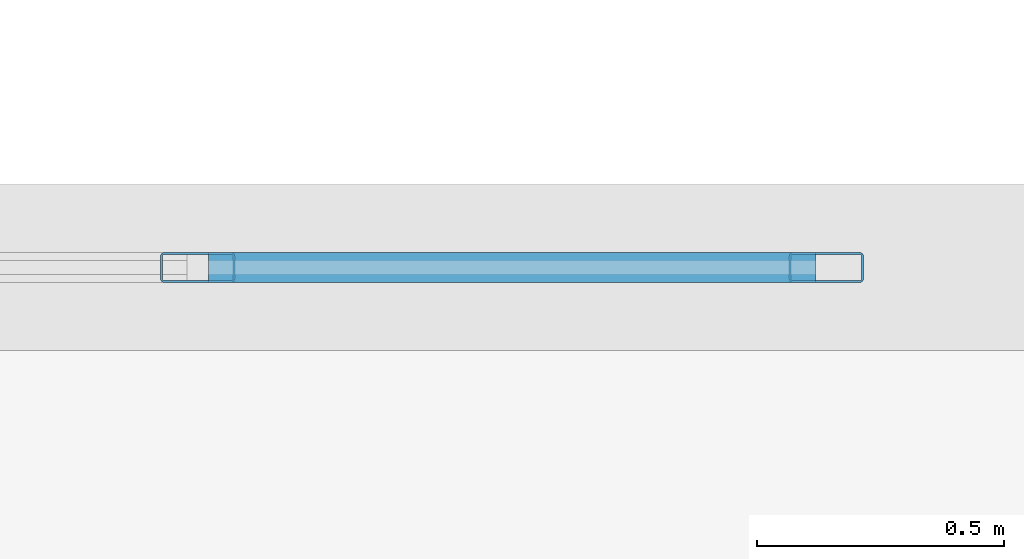
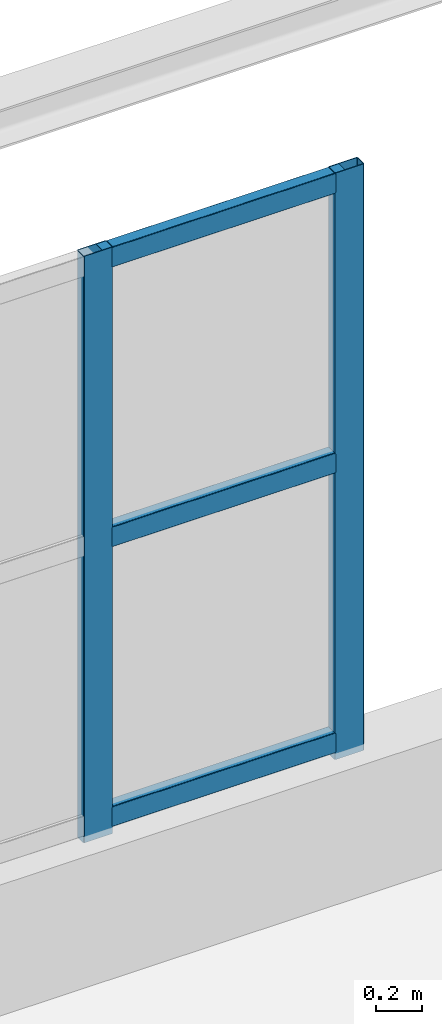
# One storey, part 32 of 97: 5 members, 1 element without a shape of its own.
"""IFC4 building model written with IfcOpenShell, lengths in metres."""

import ifcopenshell
import ifcopenshell.guid

model = None  # the IFC model being written
_history = None  # IfcOwnerHistory: only IFC2X3 demands one
_inside = {}  # id of a spatial element -> (the spatial element, [elements in it])
_under = {}  # id of a project, library or spatial element -> (it, [spatial elements below it])
_declared = {}  # id of a project -> (the project, [libraries it declares])
_typed = {}  # id of a type object -> (the type object, [elements of that type])
_made_of = {}  # id of a material, layer set ... -> (it, [elements and type objects made of it])


def new_model(schema):
    """Start an empty IFC model of exactly this schema.

    Asked for "IFC4X3", IfcOpenShell would pick the latest addendum, in which some entities
    have other attributes; the version numbers below select the first issue.
    IFC2X3 requires an IfcOwnerHistory on every rooted entity: one is made here for all.
    """
    global model, _history
    if schema == "IFC4X3":
        model = ifcopenshell.file(schema_version=(4, 3, 0, 0))
    else:
        model = ifcopenshell.file(schema=schema)
    _inside.clear()
    _under.clear()
    _declared.clear()
    _typed.clear()
    _made_of.clear()
    _history = None
    if model.schema == "IFC2X3":
        org = make("IfcOrganization", Name="unknown")
        user = make(
            "IfcPersonAndOrganization",
            ThePerson=make("IfcPerson", FamilyName="unknown"),
            TheOrganization=org,
        )
        app = make(
            "IfcApplication",
            ApplicationDeveloper=org,
            Version="unknown",
            ApplicationFullName="unknown",
            ApplicationIdentifier="unknown",
        )
        _history = make(
            "IfcOwnerHistory",
            OwningUser=user,
            OwningApplication=app,
            ChangeAction="ADDED",
            CreationDate=0,
        )
    return model


def make(cls, **values):
    """One entity of the class cls with the attributes given. An attribute that is None is left unset."""
    return model.create_entity(
        cls, **{name: value for name, value in values.items() if value is not None}
    )


def rooted(cls, **values):
    """An entity with a GlobalId (a new one), such as an element, a storey or a relation."""
    return make(cls, GlobalId=ifcopenshell.guid.new(), OwnerHistory=_history, **values)


def si_unit(unit_type, name, prefix=None):
    """IfcSIUnit, for example si_unit("LENGTHUNIT", "METRE", prefix="MILLI")."""
    return make("IfcSIUnit", UnitType=unit_type, Prefix=prefix, Name=name)


def derived_unit(unit_type, elements):
    """IfcDerivedUnit: a product of units, each with its exponent."""
    return make(
        "IfcDerivedUnit",
        Elements=[
            make("IfcDerivedUnitElement", Unit=unit, Exponent=power)
            for unit, power in elements
        ],
        UnitType=unit_type,
    )


def assignment(units):
    """IfcUnitAssignment: the units of a project."""
    return None if units is None else make("IfcUnitAssignment", Units=units)


def point(xyz):
    """IfcCartesianPoint."""
    return None if xyz is None else make("IfcCartesianPoint", Coordinates=xyz)


def direction(xyz):
    """IfcDirection."""
    return None if xyz is None else make("IfcDirection", DirectionRatios=xyz)


def frame(location, z_axis=None, x_axis=None):
    """IfcAxis2Placement3D, a coordinate frame: its origin and axes. An axis left out is left unset."""
    return make(
        "IfcAxis2Placement3D",
        Location=point(location),
        Axis=direction(z_axis),
        RefDirection=direction(x_axis),
    )


def frame_2d(location, x_axis=None):
    """IfcAxis2Placement2D, a coordinate frame in the plane: its origin and x axis."""
    return make(
        "IfcAxis2Placement2D", Location=point(location), RefDirection=direction(x_axis)
    )


def origin():
    """The frame at (0, 0, 0) with its axes left unset."""
    return frame((0.0, 0.0, 0.0))


def origin_2d():
    """The frame at (0, 0) in the plane with its x axis left unset."""
    return frame_2d((0.0, 0.0))


def place(relative_to, where):
    """IfcLocalPlacement: puts the frame where relative to a parent placement (None: the world)."""
    return make(
        "IfcLocalPlacement", PlacementRelTo=relative_to, RelativePlacement=where
    )


def context(
    kind, dimensions, precision=None, world=None, true_north=None, identifier=None
):
    """IfcGeometricRepresentationContext, for example the 3D "Model" context."""
    return make(
        "IfcGeometricRepresentationContext",
        ContextIdentifier=identifier,
        ContextType=kind,
        CoordinateSpaceDimension=dimensions,
        Precision=precision,
        WorldCoordinateSystem=world,
        TrueNorth=true_north,
    )


def subcontext(parent, identifier, kind, view, scale=None):
    """IfcGeometricRepresentationSubContext, for example "Body" below "Model"."""
    return make(
        "IfcGeometricRepresentationSubContext",
        ContextIdentifier=identifier,
        ContextType=kind,
        ParentContext=parent,
        TargetScale=scale,
        TargetView=view,
    )


def project(units=None, contexts=None):
    """IfcProject with its units and contexts."""
    return rooted(
        "IfcProject",
        Name="project",
        RepresentationContexts=contexts,
        UnitsInContext=assignment(units),
    )


def spatial(cls, under=None, at=None, **own):
    """A site, building, storey or space (cls), placed at a placement, below another one or the project."""
    s = rooted(cls, ObjectPlacement=at, **own)
    if under is not None:
        _under.setdefault(under.id(), (under, []))[1].append(s)
    return s


def profile(cls, at=None, kind="AREA", **sizes):
    """A parametric profile (cls). Its sizes go by their IFC names, for example OverallWidth=200.0."""
    return make(cls, ProfileType=kind, Position=at, **sizes)


def hollow_rectangle(**sizes):
    """IfcRectangleHollowProfileDef."""
    return profile("IfcRectangleHollowProfileDef", **sizes)


def extrude(swept, where, along, depth):
    """IfcExtrudedAreaSolid: the profile swept, set in the frame where, extruded along a direction by depth."""
    return make(
        "IfcExtrudedAreaSolid",
        SweptArea=swept,
        Position=where,
        ExtrudedDirection=direction(along),
        Depth=depth,
    )


def shape(context_of_items, identifier, shape_type, items):
    """IfcShapeRepresentation: the items that make up one representation, for example the "Body"."""
    return make(
        "IfcShapeRepresentation",
        ContextOfItems=context_of_items,
        RepresentationIdentifier=identifier,
        RepresentationType=shape_type,
        Items=items,
    )


def material(Name=None, Category=None):
    """IfcMaterial."""
    return make("IfcMaterial", Name=Name, Category=Category)


def layer(
    of_material, thickness, ventilated=None, Name=None, Category=None, Priority=None
):
    """IfcMaterialLayer: one layer of a wall or slab, of a material (None: an air gap)."""
    return make(
        "IfcMaterialLayer",
        Material=of_material,
        LayerThickness=thickness,
        IsVentilated=ventilated,
        Name=Name,
        Category=Category,
        Priority=Priority,
    )


def layer_set(layers, Name=None):
    """IfcMaterialLayerSet."""
    return make("IfcMaterialLayerSet", MaterialLayers=layers, LayerSetName=Name)


def material_profile(
    of_material, cross_section, Name=None, Category=None, Priority=None
):
    """IfcMaterialProfile: a cross section and its material."""
    return make(
        "IfcMaterialProfile",
        Name=Name,
        Material=of_material,
        Profile=cross_section,
        Priority=Priority,
        Category=Category,
    )


def profile_set(profiles, Name=None, composite=None):
    """IfcMaterialProfileSet."""
    return make(
        "IfcMaterialProfileSet",
        Name=Name,
        MaterialProfiles=profiles,
        CompositeProfile=composite,
    )


def made_of(thing, what):
    """Note that an element or type object is made of a material, layer set ...; save() writes the relation."""
    if what is not None:
        _made_of.setdefault(what.id(), (what, []))[1].append(thing)
    return thing


def type_object(cls, material=None, **own):
    """A type object (cls), such as IfcWallType, which elements share."""
    return made_of(rooted(cls, **own), material)


def element(
    cls,
    number,
    at=None,
    inside=None,
    cuts=None,
    type_object=None,
    material=None,
    context=None,
    identifier="Body",
    shape_type=None,
    held_by="IfcProductDefinitionShape",
    body=None,
    shapes=None,
    **own,
):
    """One element of the class cls, such as IfcWall. Its Tag is "e" and its number.

    at: its placement. inside: the storey or other place that contains it. cuts: it is an
    opening in that element (IfcRelVoidsElement). A single representation is given by context,
    identifier, shape_type and body (its items); several are given by shapes. held_by: the class
    of the entity that holds the representations. save() writes the other relations.
    """
    e = rooted(cls, Tag="e%d" % number, ObjectPlacement=at, **own)
    if body is not None:
        shapes = [shape(context, identifier, shape_type, body)]
    if shapes is not None:
        e.Representation = make(held_by, Representations=shapes)
    if inside is not None:
        _inside.setdefault(inside.id(), (inside, []))[1].append(e)
    if cuts is not None:
        rooted(
            "IfcRelVoidsElement", RelatingBuildingElement=cuts, RelatedOpeningElement=e
        )
    if type_object is not None:
        _typed.setdefault(type_object.id(), (type_object, []))[1].append(e)
    return made_of(e, material)


def aggregate(whole, parts):
    """IfcRelAggregates: a whole, such as a stair, and the parts it consists of."""
    return rooted("IfcRelAggregates", RelatingObject=whole, RelatedObjects=parts)


def save(model, path):
    """Write the relations noted so far, then the file.

    IfcRelAggregates (storeys below a building ...), IfcRelContainedInSpatialStructure (elements
    in a storey), IfcRelDefinesByType, IfcRelAssociatesMaterial and IfcRelDeclares: one each for
    every whole, place, type object, material and project.
    """
    for whole, parts in _under.values():
        aggregate(whole, parts)
    for where, things in _inside.values():
        rooted(
            "IfcRelContainedInSpatialStructure",
            RelatedElements=things,
            RelatingStructure=where,
        )
    for kind, things in _typed.values():
        rooted("IfcRelDefinesByType", RelatedObjects=things, RelatingType=kind)
    for what, things in _made_of.values():
        rooted("IfcRelAssociatesMaterial", RelatedObjects=things, RelatingMaterial=what)
    for by, libraries in _declared.values():
        rooted("IfcRelDeclares", RelatingContext=by, RelatedDefinitions=libraries)
    model.write(path)


model = new_model("IFC4")

# Units and contexts
model_context = context("Model", 3, precision=1e-05, world=origin(), true_north=direction((0.0, 1.0)))
body_context = subcontext(model_context, "Body", "Model", "MODEL_VIEW")
ifc_project = project(units=[si_unit("LENGTHUNIT", "METRE"), si_unit("AREAUNIT", "SQUARE_METRE"), si_unit("VOLUMEUNIT", "CUBIC_METRE"), si_unit("PLANEANGLEUNIT", "RADIAN"), si_unit("MASSUNIT", "GRAM", prefix="KILO"), derived_unit("THERMALTRANSMITTANCEUNIT", [(si_unit("POWERUNIT", "WATT"), 1), (si_unit("LENGTHUNIT", "METRE"), -2), (si_unit("THERMODYNAMICTEMPERATUREUNIT", "KELVIN"), -1)])], contexts=[model_context])

# Site, building, storey
site_placement = place(None, origin())
site = spatial("IfcSite", under=ifc_project, at=site_placement, CompositionType="ELEMENT")
building_placement = place(site_placement, origin())
building = spatial("IfcBuilding", under=site, at=building_placement, Name="Almenara Railside Exhibition Hall", CompositionType="ELEMENT")
storey_placement = place(building_placement, frame((0.0, 0.0, 10.800048828125)))
storey = spatial("IfcBuildingStorey", under=building, at=storey_placement, Name="L02", CompositionType="ELEMENT", Elevation=10.800048828125)

# Curtain wall, members
ifc_material_1 = material(Name="Bronze-anodised aluminium and low-E double glazing", Category="aluminium")
ifc_layer = layer(ifc_material_1, 0.179931640625, Name="Bronze-anodised aluminium and low-E double glazing")
ifc_layer_set = layer_set([ifc_layer], Name="Bronze-anodised aluminium and low-E double glazing")
curtain_wall_type = type_object("IfcCurtainWallType", Name="Belvedere Patio Loggia Curtain Wall 2600x3100", PredefinedType="NOTDEFINED", material=ifc_layer_set)
curtain_wall_placement = place(storey_placement, origin())
curtain_wall = element("IfcCurtainWall", 1, at=curtain_wall_placement, inside=storey, type_object=curtain_wall_type, Name="Curtain wall CW-BV2-161", PredefinedType="NOTDEFINED")
ifc_material_2 = material(Name="Bronze-anodised aluminium", Category="aluminium")
ifc_material_profile_1 = material_profile(ifc_material_2, hollow_rectangle(XDim=0.06005859375, YDim=0.14990234375, WallThickness=0.00341796875, InnerFilletRadius=0.00341796875, OuterFilletRadius=0.007080078125, at=origin_2d()), Name="ALU-MUL 60x150x3.5")
ifc_profile_set_1 = profile_set([ifc_material_profile_1], Name="Bronze-anodised aluminium")
member_type_1 = type_object("IfcMemberType", Name="Curtain Wall Mullion 60x150x3.5", PredefinedType="MULLION", material=ifc_profile_set_1)
member_1_placement = place(storey_placement, frame((97.0, 54.0, 0.6650390625), z_axis=(0.0, 0.0, 1.0), x_axis=(0.0, 1.0, 0.0)))
member_1 = element("IfcMember", 2, at=member_1_placement, type_object=member_type_1, Name="CW-BV2-161 mullion 2", PredefinedType="MULLION", context=body_context, shape_type="SweptSolid", body=[
    extrude(hollow_rectangle(XDim=0.06005859375, YDim=0.14990234375, WallThickness=0.00341796875, InnerFilletRadius=0.00341796875, OuterFilletRadius=0.007080078125, at=origin_2d()), origin(), (0.0, 0.0, 1.0), 3.135009765625),
])
member_2_placement = place(storey_placement, frame((98.27001953125, 54.0, 0.6650390625), z_axis=(0.0, 0.0, 1.0), x_axis=(0.0, 1.0, 0.0)))
member_2 = element("IfcMember", 3, at=member_2_placement, type_object=member_type_1, Name="CW-BV2-161 mullion 3", PredefinedType="MULLION", context=body_context, shape_type="SweptSolid", body=[
    extrude(hollow_rectangle(XDim=0.06005859375, YDim=0.14990234375, WallThickness=0.00341796875, InnerFilletRadius=0.00341796875, OuterFilletRadius=0.007080078125, at=origin_2d()), origin(), (0.0, 0.0, 1.0), 3.135009765625),
])
ifc_material_profile_2 = material_profile(ifc_material_2, hollow_rectangle(XDim=0.06005859375, YDim=0.110107421875, WallThickness=0.0029296875, InnerFilletRadius=0.0029296875, OuterFilletRadius=0.006103515625, at=origin_2d()), Name="ALU-TRN 60x110x3")
ifc_profile_set_2 = profile_set([ifc_material_profile_2], Name="Bronze-anodised aluminium")
member_type_2 = type_object("IfcMemberType", Name="Curtain Wall Transom 60x110x3", PredefinedType="USERDEFINED", material=ifc_profile_set_2)
member_3_placement = place(storey_placement, frame((97.02197265625, 54.0, 0.7548828125), z_axis=(1.0, 0.0, 0.0), x_axis=(0.0, 1.0, 0.0)))
member_3 = element("IfcMember", 4, at=member_3_placement, type_object=member_type_2, Name="CW-BV2-161 transom 2.1", ObjectType="TRANSOM", PredefinedType="USERDEFINED", context=body_context, shape_type="SweptSolid", body=[
    extrude(hollow_rectangle(XDim=0.06005859375, YDim=0.110107421875, WallThickness=0.0029296875, InnerFilletRadius=0.0029296875, OuterFilletRadius=0.006103515625, at=origin_2d()), origin(), (0.0, 0.0, 1.0), 1.22607421875),
])
member_4_placement = place(storey_placement, frame((97.02197265625, 54.0, 2.25), z_axis=(1.0, 0.0, 0.0), x_axis=(0.0, 1.0, 0.0)))
member_4 = element("IfcMember", 5, at=member_4_placement, type_object=member_type_2, Name="CW-BV2-161 transom 2.2", ObjectType="TRANSOM", PredefinedType="USERDEFINED", context=body_context, shape_type="SweptSolid", body=[
    extrude(hollow_rectangle(XDim=0.06005859375, YDim=0.110107421875, WallThickness=0.0029296875, InnerFilletRadius=0.0029296875, OuterFilletRadius=0.006103515625, at=origin_2d()), origin(), (0.0, 0.0, 1.0), 1.22607421875),
])
member_5_placement = place(storey_placement, frame((97.02197265625, 54.0, 3.744873046875), z_axis=(1.0, 0.0, 0.0), x_axis=(0.0, 1.0, 0.0)))
member_5 = element("IfcMember", 6, at=member_5_placement, type_object=member_type_2, Name="CW-BV2-161 transom 2.3", ObjectType="TRANSOM", PredefinedType="USERDEFINED", context=body_context, shape_type="SweptSolid", body=[
    extrude(hollow_rectangle(XDim=0.06005859375, YDim=0.110107421875, WallThickness=0.0029296875, InnerFilletRadius=0.0029296875, OuterFilletRadius=0.006103515625, at=origin_2d()), origin(), (0.0, 0.0, 1.0), 1.22607421875),
])
aggregate(curtain_wall, [member_1, member_2, member_3, member_4, member_5])

save(model, "model.ifc")
